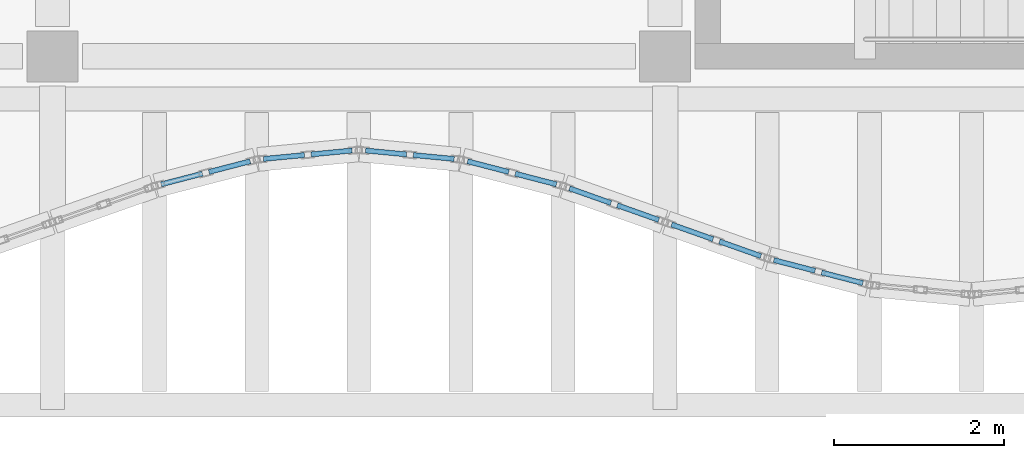
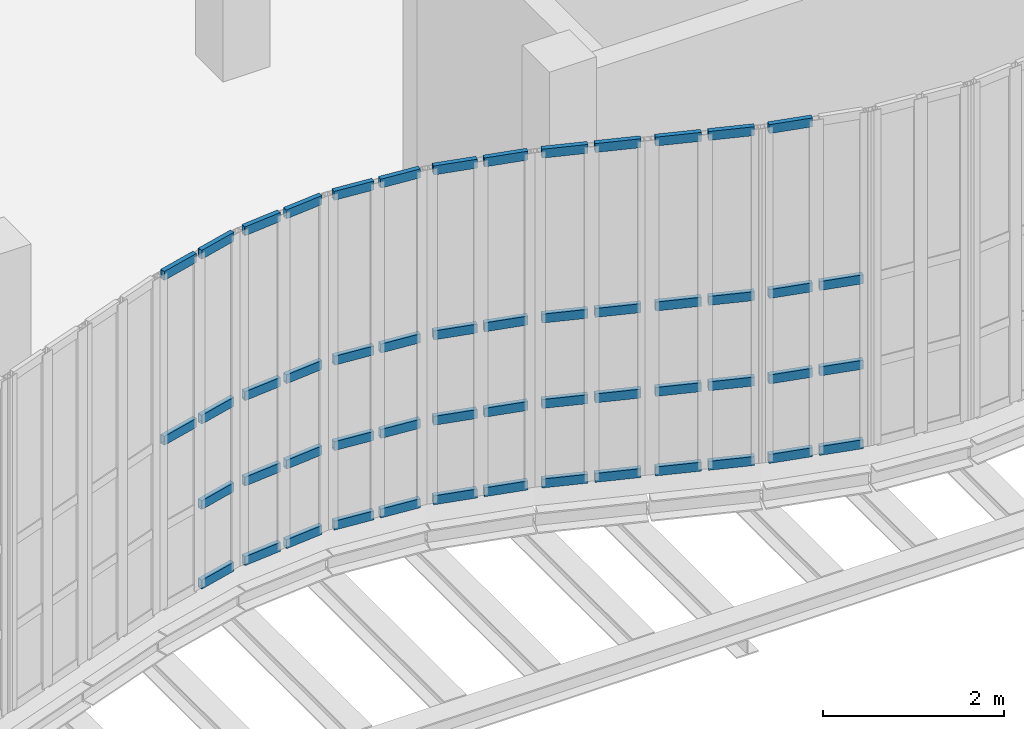
# One storey, part 48 of 105: 53 members, 7 elements without a shape of their own.
"""IFC4 building model written with IfcOpenShell, lengths in metres."""

import ifcopenshell
import ifcopenshell.guid

model = None  # the IFC model being written
_history = None  # IfcOwnerHistory: only IFC2X3 demands one
_inside = {}  # id of a spatial element -> (the spatial element, [elements in it])
_under = {}  # id of a project, library or spatial element -> (it, [spatial elements below it])
_declared = {}  # id of a project -> (the project, [libraries it declares])
_typed = {}  # id of a type object -> (the type object, [elements of that type])
_made_of = {}  # id of a material, layer set ... -> (it, [elements and type objects made of it])


def new_model(schema):
    """Start an empty IFC model of exactly this schema.

    Asked for "IFC4X3", IfcOpenShell would pick the latest addendum, in which some entities
    have other attributes; the version numbers below select the first issue.
    IFC2X3 requires an IfcOwnerHistory on every rooted entity: one is made here for all.
    """
    global model, _history
    if schema == "IFC4X3":
        model = ifcopenshell.file(schema_version=(4, 3, 0, 0))
    else:
        model = ifcopenshell.file(schema=schema)
    _inside.clear()
    _under.clear()
    _declared.clear()
    _typed.clear()
    _made_of.clear()
    _history = None
    if model.schema == "IFC2X3":
        org = make("IfcOrganization", Name="unknown")
        user = make(
            "IfcPersonAndOrganization",
            ThePerson=make("IfcPerson", FamilyName="unknown"),
            TheOrganization=org,
        )
        app = make(
            "IfcApplication",
            ApplicationDeveloper=org,
            Version="unknown",
            ApplicationFullName="unknown",
            ApplicationIdentifier="unknown",
        )
        _history = make(
            "IfcOwnerHistory",
            OwningUser=user,
            OwningApplication=app,
            ChangeAction="ADDED",
            CreationDate=0,
        )
    return model


def make(cls, **values):
    """One entity of the class cls with the attributes given. An attribute that is None is left unset."""
    return model.create_entity(
        cls, **{name: value for name, value in values.items() if value is not None}
    )


def rooted(cls, **values):
    """An entity with a GlobalId (a new one), such as an element, a storey or a relation."""
    return make(cls, GlobalId=ifcopenshell.guid.new(), OwnerHistory=_history, **values)


def si_unit(unit_type, name, prefix=None):
    """IfcSIUnit, for example si_unit("LENGTHUNIT", "METRE", prefix="MILLI")."""
    return make("IfcSIUnit", UnitType=unit_type, Prefix=prefix, Name=name)


def assignment(units):
    """IfcUnitAssignment: the units of a project."""
    return None if units is None else make("IfcUnitAssignment", Units=units)


def point(xyz):
    """IfcCartesianPoint."""
    return None if xyz is None else make("IfcCartesianPoint", Coordinates=xyz)


def direction(xyz):
    """IfcDirection."""
    return None if xyz is None else make("IfcDirection", DirectionRatios=xyz)


def frame(location, z_axis=None, x_axis=None):
    """IfcAxis2Placement3D, a coordinate frame: its origin and axes. An axis left out is left unset."""
    return make(
        "IfcAxis2Placement3D",
        Location=point(location),
        Axis=direction(z_axis),
        RefDirection=direction(x_axis),
    )


def frame_2d(location, x_axis=None):
    """IfcAxis2Placement2D, a coordinate frame in the plane: its origin and x axis."""
    return make(
        "IfcAxis2Placement2D", Location=point(location), RefDirection=direction(x_axis)
    )


def origin():
    """The frame at (0, 0, 0) with its axes left unset."""
    return frame((0.0, 0.0, 0.0))


def origin_2d():
    """The frame at (0, 0) in the plane with its x axis left unset."""
    return frame_2d((0.0, 0.0))


def place(relative_to, where):
    """IfcLocalPlacement: puts the frame where relative to a parent placement (None: the world)."""
    return make(
        "IfcLocalPlacement", PlacementRelTo=relative_to, RelativePlacement=where
    )


def context(
    kind, dimensions, precision=None, world=None, true_north=None, identifier=None
):
    """IfcGeometricRepresentationContext, for example the 3D "Model" context."""
    return make(
        "IfcGeometricRepresentationContext",
        ContextIdentifier=identifier,
        ContextType=kind,
        CoordinateSpaceDimension=dimensions,
        Precision=precision,
        WorldCoordinateSystem=world,
        TrueNorth=true_north,
    )


def subcontext(parent, identifier, kind, view, scale=None):
    """IfcGeometricRepresentationSubContext, for example "Body" below "Model"."""
    return make(
        "IfcGeometricRepresentationSubContext",
        ContextIdentifier=identifier,
        ContextType=kind,
        ParentContext=parent,
        TargetScale=scale,
        TargetView=view,
    )


def project(units=None, contexts=None):
    """IfcProject with its units and contexts."""
    return rooted(
        "IfcProject",
        Name="project",
        RepresentationContexts=contexts,
        UnitsInContext=assignment(units),
    )


def spatial(cls, under=None, at=None, **own):
    """A site, building, storey or space (cls), placed at a placement, below another one or the project."""
    s = rooted(cls, ObjectPlacement=at, **own)
    if under is not None:
        _under.setdefault(under.id(), (under, []))[1].append(s)
    return s


def profile(cls, at=None, kind="AREA", **sizes):
    """A parametric profile (cls). Its sizes go by their IFC names, for example OverallWidth=200.0."""
    return make(cls, ProfileType=kind, Position=at, **sizes)


def hollow_rectangle(**sizes):
    """IfcRectangleHollowProfileDef."""
    return profile("IfcRectangleHollowProfileDef", **sizes)


def extrude(swept, where, along, depth):
    """IfcExtrudedAreaSolid: the profile swept, set in the frame where, extruded along a direction by depth."""
    return make(
        "IfcExtrudedAreaSolid",
        SweptArea=swept,
        Position=where,
        ExtrudedDirection=direction(along),
        Depth=depth,
    )


def shape(context_of_items, identifier, shape_type, items):
    """IfcShapeRepresentation: the items that make up one representation, for example the "Body"."""
    return make(
        "IfcShapeRepresentation",
        ContextOfItems=context_of_items,
        RepresentationIdentifier=identifier,
        RepresentationType=shape_type,
        Items=items,
    )


def material(Name=None, Category=None):
    """IfcMaterial."""
    return make("IfcMaterial", Name=Name, Category=Category)


def layer(
    of_material, thickness, ventilated=None, Name=None, Category=None, Priority=None
):
    """IfcMaterialLayer: one layer of a wall or slab, of a material (None: an air gap)."""
    return make(
        "IfcMaterialLayer",
        Material=of_material,
        LayerThickness=thickness,
        IsVentilated=ventilated,
        Name=Name,
        Category=Category,
        Priority=Priority,
    )


def layer_set(layers, Name=None):
    """IfcMaterialLayerSet."""
    return make("IfcMaterialLayerSet", MaterialLayers=layers, LayerSetName=Name)


def material_profile(
    of_material, cross_section, Name=None, Category=None, Priority=None
):
    """IfcMaterialProfile: a cross section and its material."""
    return make(
        "IfcMaterialProfile",
        Name=Name,
        Material=of_material,
        Profile=cross_section,
        Priority=Priority,
        Category=Category,
    )


def profile_set(profiles, Name=None, composite=None):
    """IfcMaterialProfileSet."""
    return make(
        "IfcMaterialProfileSet",
        Name=Name,
        MaterialProfiles=profiles,
        CompositeProfile=composite,
    )


def made_of(thing, what):
    """Note that an element or type object is made of a material, layer set ...; save() writes the relation."""
    if what is not None:
        _made_of.setdefault(what.id(), (what, []))[1].append(thing)
    return thing


def type_object(cls, material=None, **own):
    """A type object (cls), such as IfcWallType, which elements share."""
    return made_of(rooted(cls, **own), material)


def element(
    cls,
    number,
    at=None,
    inside=None,
    cuts=None,
    type_object=None,
    material=None,
    context=None,
    identifier="Body",
    shape_type=None,
    held_by="IfcProductDefinitionShape",
    body=None,
    shapes=None,
    **own,
):
    """One element of the class cls, such as IfcWall. Its Tag is "e" and its number.

    at: its placement. inside: the storey or other place that contains it. cuts: it is an
    opening in that element (IfcRelVoidsElement). A single representation is given by context,
    identifier, shape_type and body (its items); several are given by shapes. held_by: the class
    of the entity that holds the representations. save() writes the other relations.
    """
    e = rooted(cls, Tag="e%d" % number, ObjectPlacement=at, **own)
    if body is not None:
        shapes = [shape(context, identifier, shape_type, body)]
    if shapes is not None:
        e.Representation = make(held_by, Representations=shapes)
    if inside is not None:
        _inside.setdefault(inside.id(), (inside, []))[1].append(e)
    if cuts is not None:
        rooted(
            "IfcRelVoidsElement", RelatingBuildingElement=cuts, RelatedOpeningElement=e
        )
    if type_object is not None:
        _typed.setdefault(type_object.id(), (type_object, []))[1].append(e)
    return made_of(e, material)


def aggregate(whole, parts):
    """IfcRelAggregates: a whole, such as a stair, and the parts it consists of."""
    return rooted("IfcRelAggregates", RelatingObject=whole, RelatedObjects=parts)


def save(model, path):
    """Write the relations noted so far, then the file.

    IfcRelAggregates (storeys below a building ...), IfcRelContainedInSpatialStructure (elements
    in a storey), IfcRelDefinesByType, IfcRelAssociatesMaterial and IfcRelDeclares: one each for
    every whole, place, type object, material and project.
    """
    for whole, parts in _under.values():
        aggregate(whole, parts)
    for where, things in _inside.values():
        rooted(
            "IfcRelContainedInSpatialStructure",
            RelatedElements=things,
            RelatingStructure=where,
        )
    for kind, things in _typed.values():
        rooted("IfcRelDefinesByType", RelatedObjects=things, RelatingType=kind)
    for what, things in _made_of.values():
        rooted("IfcRelAssociatesMaterial", RelatedObjects=things, RelatingMaterial=what)
    for by, libraries in _declared.values():
        rooted("IfcRelDeclares", RelatingContext=by, RelatedDefinitions=libraries)
    model.write(path)


model = new_model("IFC4")

# Units and contexts
model_context = context("Model", 3, precision=1e-05, world=origin(), true_north=direction((0.0, 1.0)))
body_context = subcontext(model_context, "Body", "Model", "MODEL_VIEW")
ifc_project = project(units=[si_unit("LENGTHUNIT", "METRE"), si_unit("AREAUNIT", "SQUARE_METRE"), si_unit("VOLUMEUNIT", "CUBIC_METRE"), si_unit("PLANEANGLEUNIT", "RADIAN"), si_unit("MASSUNIT", "GRAM", prefix="KILO"), si_unit("THERMODYNAMICTEMPERATUREUNIT", "KELVIN"), si_unit("POWERUNIT", "WATT")], contexts=[model_context])

# Site, building, storey
site_placement = place(None, origin())
site = spatial("IfcSite", under=ifc_project, at=site_placement, CompositionType="ELEMENT")
building_placement = place(site_placement, origin())
building = spatial("IfcBuilding", under=site, at=building_placement, Name="Kaldorven Railside Theatre", CompositionType="ELEMENT")
storey_placement = place(building_placement, frame((0.0, 0.0, 9.89990234375)))
storey = spatial("IfcBuildingStorey", under=building, at=storey_placement, Name="L02", CompositionType="ELEMENT", Elevation=9.89990234375)

# Curtain wall, members
ifc_material_1 = material(Name="Low-E laminated solar-control glass", Category="glass")
ifc_layer_1 = layer(ifc_material_1, 0.159912109375, Name="Low-E laminated solar-control glass")
ifc_layer_set_1 = layer_set([ifc_layer_1], Name="Low-E laminated solar-control glass")
curtain_wall_type_1 = type_object("IfcCurtainWallType", Name="CWT-02", PredefinedType="USERDEFINED", material=ifc_layer_set_1)
curtain_wall_1_placement = place(storey_placement, origin())
curtain_wall_1 = element("IfcCurtainWall", 1, at=curtain_wall_1_placement, inside=storey, type_object=curtain_wall_type_1, Name="Sinusoidal Fluted Curtain Wall CW-L02-S14", ObjectType="FLUTED GLAZING", PredefinedType="USERDEFINED")
ifc_material_2 = material(Name="Anodised bronze aluminium", Category="aluminium")
ifc_material_profile = material_profile(ifc_material_2, hollow_rectangle(XDim=0.06005859375, YDim=0.1201171875, WallThickness=0.0048828125, at=origin_2d()), Name="RHS 120x60x5")
ifc_profile_set = profile_set([ifc_material_profile], Name="Anodised bronze aluminium")
member_type = type_object("IfcMemberType", Name="CWT-120", PredefinedType="USERDEFINED", material=ifc_profile_set)
member_1_placement = place(storey_placement, frame((52.4775390625, 17.695068359375, 2.25), z_axis=(0.967948521016, 0.251148682384, 0.0), x_axis=(-0.251148682384, 0.967948521016, 0.0)))
member_1 = element("IfcMember", 2, at=member_1_placement, type_object=member_type, Name="CW-L02-S14 transom 1.3", ObjectType="TRANSOM", PredefinedType="USERDEFINED", context=body_context, shape_type="SweptSolid", body=[
    extrude(hollow_rectangle(XDim=0.06005859375, YDim=0.1201171875, WallThickness=0.0048828125, at=origin_2d()), origin(), (0.0, 0.0, 1.0), 0.499755859375),
])
member_2_placement = place(storey_placement, frame((52.4775390625, 17.695068359375, 4.47021484375), z_axis=(0.967948521016, 0.251148682384, 0.0), x_axis=(-0.251148682384, 0.967948521016, 0.0)))
member_2 = element("IfcMember", 3, at=member_2_placement, type_object=member_type, Name="CW-L02-S14 transom 1.4", ObjectType="TRANSOM", PredefinedType="USERDEFINED", context=body_context, shape_type="SweptSolid", body=[
    extrude(hollow_rectangle(XDim=0.06005859375, YDim=0.1201171875, WallThickness=0.0048828125, at=origin_2d()), origin(), (0.0, 0.0, 1.0), 0.499755859375),
])
member_3_placement = place(storey_placement, frame((53.038818359375, 17.840576171875, 0.030029296875), z_axis=(0.967948521016, 0.251148682384, 0.0), x_axis=(-0.251148682384, 0.967948521016, 0.0)))
member_3 = element("IfcMember", 4, at=member_3_placement, type_object=member_type, Name="CW-L02-S14 transom 2.1", ObjectType="TRANSOM", PredefinedType="USERDEFINED", context=body_context, shape_type="SweptSolid", body=[
    extrude(hollow_rectangle(XDim=0.06005859375, YDim=0.1201171875, WallThickness=0.0048828125, at=origin_2d()), origin(), (0.0, 0.0, 1.0), 0.499755859375),
])
member_4_placement = place(storey_placement, frame((53.038818359375, 17.840576171875, 1.10009765625), z_axis=(0.967948521016, 0.251148682384, 0.0), x_axis=(-0.251148682384, 0.967948521016, 0.0)))
member_4 = element("IfcMember", 5, at=member_4_placement, type_object=member_type, Name="CW-L02-S14 transom 2.2", ObjectType="TRANSOM", PredefinedType="USERDEFINED", context=body_context, shape_type="SweptSolid", body=[
    extrude(hollow_rectangle(XDim=0.06005859375, YDim=0.1201171875, WallThickness=0.0048828125, at=origin_2d()), origin(), (0.0, 0.0, 1.0), 0.499755859375),
])
member_5_placement = place(storey_placement, frame((53.038818359375, 17.840576171875, 2.25), z_axis=(0.967948521016, 0.251148682384, 0.0), x_axis=(-0.251148682384, 0.967948521016, 0.0)))
member_5 = element("IfcMember", 6, at=member_5_placement, type_object=member_type, Name="CW-L02-S14 transom 2.3", ObjectType="TRANSOM", PredefinedType="USERDEFINED", context=body_context, shape_type="SweptSolid", body=[
    extrude(hollow_rectangle(XDim=0.06005859375, YDim=0.1201171875, WallThickness=0.0048828125, at=origin_2d()), origin(), (0.0, 0.0, 1.0), 0.499755859375),
])
member_6_placement = place(storey_placement, frame((53.038818359375, 17.840576171875, 4.47021484375), z_axis=(0.967948521016, 0.251148682384, 0.0), x_axis=(-0.251148682384, 0.967948521016, 0.0)))
member_6 = element("IfcMember", 7, at=member_6_placement, type_object=member_type, Name="CW-L02-S14 transom 2.4", ObjectType="TRANSOM", PredefinedType="USERDEFINED", context=body_context, shape_type="SweptSolid", body=[
    extrude(hollow_rectangle(XDim=0.06005859375, YDim=0.1201171875, WallThickness=0.0048828125, at=origin_2d()), origin(), (0.0, 0.0, 1.0), 0.499755859375),
])
aggregate(curtain_wall_1, [member_1, member_2, member_3, member_4, member_5, member_6])

ifc_layer_2 = layer(ifc_material_1, 0.159912109375, Name="Low-E laminated solar-control glass")
ifc_layer_set_2 = layer_set([ifc_layer_2], Name="Low-E laminated solar-control glass")
curtain_wall_type_2 = type_object("IfcCurtainWallType", Name="CWT-03", PredefinedType="USERDEFINED", material=ifc_layer_set_2)
curtain_wall_2_placement = place(storey_placement, origin())
curtain_wall_2 = element("IfcCurtainWall", 8, at=curtain_wall_2_placement, inside=storey, type_object=curtain_wall_type_2, Name="Sinusoidal Fluted Curtain Wall CW-L02-S15", ObjectType="FLUTED GLAZING", PredefinedType="USERDEFINED")
member_7_placement = place(storey_placement, frame((53.6796875, 17.99365234375, 0.030029296875), z_axis=(0.995515910823, 0.094594245591, 0.0), x_axis=(-0.094594245591, 0.995515910823, 0.0)))
member_7 = element("IfcMember", 9, at=member_7_placement, type_object=member_type, Name="CW-L02-S15 transom 1.1", ObjectType="TRANSOM", PredefinedType="USERDEFINED", context=body_context, shape_type="SweptSolid", body=[
    extrude(hollow_rectangle(XDim=0.06005859375, YDim=0.1201171875, WallThickness=0.0048828125, at=origin_2d()), origin(), (0.0, 0.0, 1.0), 0.482666015625),
])
member_8_placement = place(storey_placement, frame((53.6796875, 17.99365234375, 1.10009765625), z_axis=(0.995515910823, 0.094594245591, 0.0), x_axis=(-0.094594245591, 0.995515910823, 0.0)))
member_8 = element("IfcMember", 10, at=member_8_placement, type_object=member_type, Name="CW-L02-S15 transom 1.2", ObjectType="TRANSOM", PredefinedType="USERDEFINED", context=body_context, shape_type="SweptSolid", body=[
    extrude(hollow_rectangle(XDim=0.06005859375, YDim=0.1201171875, WallThickness=0.0048828125, at=origin_2d()), origin(), (0.0, 0.0, 1.0), 0.482666015625),
])
member_9_placement = place(storey_placement, frame((53.6796875, 17.99365234375, 2.25), z_axis=(0.995515910823, 0.094594245591, 0.0), x_axis=(-0.094594245591, 0.995515910823, 0.0)))
member_9 = element("IfcMember", 11, at=member_9_placement, type_object=member_type, Name="CW-L02-S15 transom 1.3", ObjectType="TRANSOM", PredefinedType="USERDEFINED", context=body_context, shape_type="SweptSolid", body=[
    extrude(hollow_rectangle(XDim=0.06005859375, YDim=0.1201171875, WallThickness=0.0048828125, at=origin_2d()), origin(), (0.0, 0.0, 1.0), 0.482666015625),
])
member_10_placement = place(storey_placement, frame((53.6796875, 17.99365234375, 4.47021484375), z_axis=(0.995515910823, 0.094594245591, 0.0), x_axis=(-0.094594245591, 0.995515910823, 0.0)))
member_10 = element("IfcMember", 12, at=member_10_placement, type_object=member_type, Name="CW-L02-S15 transom 1.4", ObjectType="TRANSOM", PredefinedType="USERDEFINED", context=body_context, shape_type="SweptSolid", body=[
    extrude(hollow_rectangle(XDim=0.06005859375, YDim=0.1201171875, WallThickness=0.0048828125, at=origin_2d()), origin(), (0.0, 0.0, 1.0), 0.482666015625),
])
member_11_placement = place(storey_placement, frame((54.23974609375, 18.046875, 0.030029296875), z_axis=(0.995520433802, 0.094546633378, 0.0), x_axis=(-0.094546633378, 0.995520433802, 0.0)))
member_11 = element("IfcMember", 13, at=member_11_placement, type_object=member_type, Name="CW-L02-S15 transom 2.1", ObjectType="TRANSOM", PredefinedType="USERDEFINED", context=body_context, shape_type="SweptSolid", body=[
    extrude(hollow_rectangle(XDim=0.06005859375, YDim=0.1201171875, WallThickness=0.0048828125, at=origin_2d()), origin(), (0.0, 0.0, 1.0), 0.48291015625),
])
member_12_placement = place(storey_placement, frame((54.23974609375, 18.046875, 1.10009765625), z_axis=(0.995520433802, 0.094546633378, 0.0), x_axis=(-0.094546633378, 0.995520433802, 0.0)))
member_12 = element("IfcMember", 14, at=member_12_placement, type_object=member_type, Name="CW-L02-S15 transom 2.2", ObjectType="TRANSOM", PredefinedType="USERDEFINED", context=body_context, shape_type="SweptSolid", body=[
    extrude(hollow_rectangle(XDim=0.06005859375, YDim=0.1201171875, WallThickness=0.0048828125, at=origin_2d()), origin(), (0.0, 0.0, 1.0), 0.48291015625),
])
member_13_placement = place(storey_placement, frame((54.23974609375, 18.046875, 2.25), z_axis=(0.995520433802, 0.094546633378, 0.0), x_axis=(-0.094546633378, 0.995520433802, 0.0)))
member_13 = element("IfcMember", 15, at=member_13_placement, type_object=member_type, Name="CW-L02-S15 transom 2.3", ObjectType="TRANSOM", PredefinedType="USERDEFINED", context=body_context, shape_type="SweptSolid", body=[
    extrude(hollow_rectangle(XDim=0.06005859375, YDim=0.1201171875, WallThickness=0.0048828125, at=origin_2d()), origin(), (0.0, 0.0, 1.0), 0.48291015625),
])
member_14_placement = place(storey_placement, frame((54.23974609375, 18.046875, 4.47021484375), z_axis=(0.995520433802, 0.094546633378, 0.0), x_axis=(-0.094546633378, 0.995520433802, 0.0)))
member_14 = element("IfcMember", 16, at=member_14_placement, type_object=member_type, Name="CW-L02-S15 transom 2.4", ObjectType="TRANSOM", PredefinedType="USERDEFINED", context=body_context, shape_type="SweptSolid", body=[
    extrude(hollow_rectangle(XDim=0.06005859375, YDim=0.1201171875, WallThickness=0.0048828125, at=origin_2d()), origin(), (0.0, 0.0, 1.0), 0.48291015625),
])
aggregate(curtain_wall_2, [member_7, member_8, member_9, member_10, member_11, member_12, member_13, member_14])

curtain_wall_3_placement = place(storey_placement, origin())
curtain_wall_3 = element("IfcCurtainWall", 17, at=curtain_wall_3_placement, inside=storey, type_object=curtain_wall_type_2, Name="Sinusoidal Fluted Curtain Wall CW-L02-S16", ObjectType="FLUTED GLAZING", PredefinedType="USERDEFINED")
member_15_placement = place(storey_placement, frame((54.879638671875, 18.092529296875, 0.030029296875), z_axis=(0.995515910823, -0.094594245591, 0.0), x_axis=(0.094594245591, 0.995515910823, 0.0)))
member_15 = element("IfcMember", 18, at=member_15_placement, type_object=member_type, Name="CW-L02-S16 transom 1.1", ObjectType="TRANSOM", PredefinedType="USERDEFINED", context=body_context, shape_type="SweptSolid", body=[
    extrude(hollow_rectangle(XDim=0.06005859375, YDim=0.1201171875, WallThickness=0.0048828125, at=origin_2d()), origin(), (0.0, 0.0, 1.0), 0.482666015625),
])
member_16_placement = place(storey_placement, frame((54.879638671875, 18.092529296875, 1.10009765625), z_axis=(0.995515910823, -0.094594245591, 0.0), x_axis=(0.094594245591, 0.995515910823, 0.0)))
member_16 = element("IfcMember", 19, at=member_16_placement, type_object=member_type, Name="CW-L02-S16 transom 1.2", ObjectType="TRANSOM", PredefinedType="USERDEFINED", context=body_context, shape_type="SweptSolid", body=[
    extrude(hollow_rectangle(XDim=0.06005859375, YDim=0.1201171875, WallThickness=0.0048828125, at=origin_2d()), origin(), (0.0, 0.0, 1.0), 0.482666015625),
])
member_17_placement = place(storey_placement, frame((54.879638671875, 18.092529296875, 2.25), z_axis=(0.995515910823, -0.094594245591, 0.0), x_axis=(0.094594245591, 0.995515910823, 0.0)))
member_17 = element("IfcMember", 20, at=member_17_placement, type_object=member_type, Name="CW-L02-S16 transom 1.3", ObjectType="TRANSOM", PredefinedType="USERDEFINED", context=body_context, shape_type="SweptSolid", body=[
    extrude(hollow_rectangle(XDim=0.06005859375, YDim=0.1201171875, WallThickness=0.0048828125, at=origin_2d()), origin(), (0.0, 0.0, 1.0), 0.482666015625),
])
member_18_placement = place(storey_placement, frame((54.879638671875, 18.092529296875, 4.47021484375), z_axis=(0.995515910823, -0.094594245591, 0.0), x_axis=(0.094594245591, 0.995515910823, 0.0)))
member_18 = element("IfcMember", 21, at=member_18_placement, type_object=member_type, Name="CW-L02-S16 transom 1.4", ObjectType="TRANSOM", PredefinedType="USERDEFINED", context=body_context, shape_type="SweptSolid", body=[
    extrude(hollow_rectangle(XDim=0.06005859375, YDim=0.1201171875, WallThickness=0.0048828125, at=origin_2d()), origin(), (0.0, 0.0, 1.0), 0.482666015625),
])
member_19_placement = place(storey_placement, frame((55.43994140625, 18.039306640625, 0.030029296875), z_axis=(0.995515910823, -0.094594245591, 0.0), x_axis=(0.094594245591, 0.995515910823, 0.0)))
member_19 = element("IfcMember", 22, at=member_19_placement, type_object=member_type, Name="CW-L02-S16 transom 2.1", ObjectType="TRANSOM", PredefinedType="USERDEFINED", context=body_context, shape_type="SweptSolid", body=[
    extrude(hollow_rectangle(XDim=0.06005859375, YDim=0.1201171875, WallThickness=0.0048828125, at=origin_2d()), origin(), (0.0, 0.0, 1.0), 0.482666015625),
])
member_20_placement = place(storey_placement, frame((55.43994140625, 18.039306640625, 1.10009765625), z_axis=(0.995515910823, -0.094594245591, 0.0), x_axis=(0.094594245591, 0.995515910823, 0.0)))
member_20 = element("IfcMember", 23, at=member_20_placement, type_object=member_type, Name="CW-L02-S16 transom 2.2", ObjectType="TRANSOM", PredefinedType="USERDEFINED", context=body_context, shape_type="SweptSolid", body=[
    extrude(hollow_rectangle(XDim=0.06005859375, YDim=0.1201171875, WallThickness=0.0048828125, at=origin_2d()), origin(), (0.0, 0.0, 1.0), 0.482666015625),
])
member_21_placement = place(storey_placement, frame((55.43994140625, 18.039306640625, 2.25), z_axis=(0.995515910823, -0.094594245591, 0.0), x_axis=(0.094594245591, 0.995515910823, 0.0)))
member_21 = element("IfcMember", 24, at=member_21_placement, type_object=member_type, Name="CW-L02-S16 transom 2.3", ObjectType="TRANSOM", PredefinedType="USERDEFINED", context=body_context, shape_type="SweptSolid", body=[
    extrude(hollow_rectangle(XDim=0.06005859375, YDim=0.1201171875, WallThickness=0.0048828125, at=origin_2d()), origin(), (0.0, 0.0, 1.0), 0.482666015625),
])
member_22_placement = place(storey_placement, frame((55.43994140625, 18.039306640625, 4.47021484375), z_axis=(0.995515910823, -0.094594245591, 0.0), x_axis=(0.094594245591, 0.995515910823, 0.0)))
member_22 = element("IfcMember", 25, at=member_22_placement, type_object=member_type, Name="CW-L02-S16 transom 2.4", ObjectType="TRANSOM", PredefinedType="USERDEFINED", context=body_context, shape_type="SweptSolid", body=[
    extrude(hollow_rectangle(XDim=0.06005859375, YDim=0.1201171875, WallThickness=0.0048828125, at=origin_2d()), origin(), (0.0, 0.0, 1.0), 0.482666015625),
])
aggregate(curtain_wall_3, [member_15, member_16, member_17, member_18, member_19, member_20, member_21, member_22])

curtain_wall_4_placement = place(storey_placement, origin())
curtain_wall_4 = element("IfcCurtainWall", 26, at=curtain_wall_4_placement, inside=storey, type_object=curtain_wall_type_1, Name="Sinusoidal Fluted Curtain Wall CW-L02-S17", ObjectType="FLUTED GLAZING", PredefinedType="USERDEFINED")
member_23_placement = place(storey_placement, frame((56.077392578125, 17.966064453125, 0.030029296875), z_axis=(0.967979318949, -0.251029954561, 0.0), x_axis=(0.251029954561, 0.967979318949, 0.0)))
member_23 = element("IfcMember", 27, at=member_23_placement, type_object=member_type, Name="CW-L02-S17 transom 1.1", ObjectType="TRANSOM", PredefinedType="USERDEFINED", context=body_context, shape_type="SweptSolid", body=[
    extrude(hollow_rectangle(XDim=0.06005859375, YDim=0.1201171875, WallThickness=0.0048828125, at=origin_2d()), origin(), (0.0, 0.0, 1.0), 0.5),
])
member_24_placement = place(storey_placement, frame((56.077392578125, 17.966064453125, 1.10009765625), z_axis=(0.967979318949, -0.251029954561, 0.0), x_axis=(0.251029954561, 0.967979318949, 0.0)))
member_24 = element("IfcMember", 28, at=member_24_placement, type_object=member_type, Name="CW-L02-S17 transom 1.2", ObjectType="TRANSOM", PredefinedType="USERDEFINED", context=body_context, shape_type="SweptSolid", body=[
    extrude(hollow_rectangle(XDim=0.06005859375, YDim=0.1201171875, WallThickness=0.0048828125, at=origin_2d()), origin(), (0.0, 0.0, 1.0), 0.5),
])
member_25_placement = place(storey_placement, frame((56.077392578125, 17.966064453125, 2.25), z_axis=(0.967979318949, -0.251029954561, 0.0), x_axis=(0.251029954561, 0.967979318949, 0.0)))
member_25 = element("IfcMember", 29, at=member_25_placement, type_object=member_type, Name="CW-L02-S17 transom 1.3", ObjectType="TRANSOM", PredefinedType="USERDEFINED", context=body_context, shape_type="SweptSolid", body=[
    extrude(hollow_rectangle(XDim=0.06005859375, YDim=0.1201171875, WallThickness=0.0048828125, at=origin_2d()), origin(), (0.0, 0.0, 1.0), 0.5),
])
member_26_placement = place(storey_placement, frame((56.077392578125, 17.966064453125, 4.47021484375), z_axis=(0.967979318949, -0.251029954561, 0.0), x_axis=(0.251029954561, 0.967979318949, 0.0)))
member_26 = element("IfcMember", 30, at=member_26_placement, type_object=member_type, Name="CW-L02-S17 transom 1.4", ObjectType="TRANSOM", PredefinedType="USERDEFINED", context=body_context, shape_type="SweptSolid", body=[
    extrude(hollow_rectangle(XDim=0.06005859375, YDim=0.1201171875, WallThickness=0.0048828125, at=origin_2d()), origin(), (0.0, 0.0, 1.0), 0.5),
])
member_27_placement = place(storey_placement, frame((56.638671875, 17.820556640625, 0.030029296875), z_axis=(0.967979318949, -0.251029954561, 0.0), x_axis=(0.251029954561, 0.967979318949, 0.0)))
member_27 = element("IfcMember", 31, at=member_27_placement, type_object=member_type, Name="CW-L02-S17 transom 2.1", ObjectType="TRANSOM", PredefinedType="USERDEFINED", context=body_context, shape_type="SweptSolid", body=[
    extrude(hollow_rectangle(XDim=0.06005859375, YDim=0.1201171875, WallThickness=0.0048828125, at=origin_2d()), origin(), (0.0, 0.0, 1.0), 0.5),
])
member_28_placement = place(storey_placement, frame((56.638671875, 17.820556640625, 1.10009765625), z_axis=(0.967979318949, -0.251029954561, 0.0), x_axis=(0.251029954561, 0.967979318949, 0.0)))
member_28 = element("IfcMember", 32, at=member_28_placement, type_object=member_type, Name="CW-L02-S17 transom 2.2", ObjectType="TRANSOM", PredefinedType="USERDEFINED", context=body_context, shape_type="SweptSolid", body=[
    extrude(hollow_rectangle(XDim=0.06005859375, YDim=0.1201171875, WallThickness=0.0048828125, at=origin_2d()), origin(), (0.0, 0.0, 1.0), 0.5),
])
member_29_placement = place(storey_placement, frame((56.638671875, 17.820556640625, 2.25), z_axis=(0.967979318949, -0.251029954561, 0.0), x_axis=(0.251029954561, 0.967979318949, 0.0)))
member_29 = element("IfcMember", 33, at=member_29_placement, type_object=member_type, Name="CW-L02-S17 transom 2.3", ObjectType="TRANSOM", PredefinedType="USERDEFINED", context=body_context, shape_type="SweptSolid", body=[
    extrude(hollow_rectangle(XDim=0.06005859375, YDim=0.1201171875, WallThickness=0.0048828125, at=origin_2d()), origin(), (0.0, 0.0, 1.0), 0.5),
])
member_30_placement = place(storey_placement, frame((56.638671875, 17.820556640625, 4.47021484375), z_axis=(0.967979318949, -0.251029954561, 0.0), x_axis=(0.251029954561, 0.967979318949, 0.0)))
member_30 = element("IfcMember", 34, at=member_30_placement, type_object=member_type, Name="CW-L02-S17 transom 2.4", ObjectType="TRANSOM", PredefinedType="USERDEFINED", context=body_context, shape_type="SweptSolid", body=[
    extrude(hollow_rectangle(XDim=0.06005859375, YDim=0.1201171875, WallThickness=0.0048828125, at=origin_2d()), origin(), (0.0, 0.0, 1.0), 0.5),
])
aggregate(curtain_wall_4, [member_23, member_24, member_25, member_26, member_27, member_28, member_29, member_30])

ifc_layer_3 = layer(ifc_material_1, 0.159912109375, Name="Low-E laminated solar-control glass")
ifc_layer_set_3 = layer_set([ifc_layer_3], Name="Low-E laminated solar-control glass")
curtain_wall_type_3 = type_object("IfcCurtainWallType", Name="CWT-01", PredefinedType="USERDEFINED", material=ifc_layer_set_3)
curtain_wall_5_placement = place(storey_placement, origin())
curtain_wall_5 = element("IfcCurtainWall", 35, at=curtain_wall_5_placement, inside=storey, type_object=curtain_wall_type_3, Name="Sinusoidal Fluted Curtain Wall CW-L02-S18", ObjectType="FLUTED GLAZING", PredefinedType="USERDEFINED")
member_31_placement = place(storey_placement, frame((57.275390625, 17.648193359375, 0.030029296875), z_axis=(0.942658214948, -0.333759628763, 0.0), x_axis=(0.333759628763, 0.942658214948, 0.0)))
member_31 = element("IfcMember", 36, at=member_31_placement, type_object=member_type, Name="CW-L02-S18 transom 1.1", ObjectType="TRANSOM", PredefinedType="USERDEFINED", context=body_context, shape_type="SweptSolid", body=[
    extrude(hollow_rectangle(XDim=0.06005859375, YDim=0.1201171875, WallThickness=0.0048828125, at=origin_2d()), origin(), (0.0, 0.0, 1.0), 0.516357421875),
])
member_32_placement = place(storey_placement, frame((57.275390625, 17.648193359375, 1.10009765625), z_axis=(0.942658214948, -0.333759628763, 0.0), x_axis=(0.333759628763, 0.942658214948, 0.0)))
member_32 = element("IfcMember", 37, at=member_32_placement, type_object=member_type, Name="CW-L02-S18 transom 1.2", ObjectType="TRANSOM", PredefinedType="USERDEFINED", context=body_context, shape_type="SweptSolid", body=[
    extrude(hollow_rectangle(XDim=0.06005859375, YDim=0.1201171875, WallThickness=0.0048828125, at=origin_2d()), origin(), (0.0, 0.0, 1.0), 0.516357421875),
])
member_33_placement = place(storey_placement, frame((57.275390625, 17.648193359375, 2.25), z_axis=(0.942658214948, -0.333759628763, 0.0), x_axis=(0.333759628763, 0.942658214948, 0.0)))
member_33 = element("IfcMember", 38, at=member_33_placement, type_object=member_type, Name="CW-L02-S18 transom 1.3", ObjectType="TRANSOM", PredefinedType="USERDEFINED", context=body_context, shape_type="SweptSolid", body=[
    extrude(hollow_rectangle(XDim=0.06005859375, YDim=0.1201171875, WallThickness=0.0048828125, at=origin_2d()), origin(), (0.0, 0.0, 1.0), 0.516357421875),
])
member_34_placement = place(storey_placement, frame((57.275390625, 17.648193359375, 4.47021484375), z_axis=(0.942658214948, -0.333759628763, 0.0), x_axis=(0.333759628763, 0.942658214948, 0.0)))
member_34 = element("IfcMember", 39, at=member_34_placement, type_object=member_type, Name="CW-L02-S18 transom 1.4", ObjectType="TRANSOM", PredefinedType="USERDEFINED", context=body_context, shape_type="SweptSolid", body=[
    extrude(hollow_rectangle(XDim=0.06005859375, YDim=0.1201171875, WallThickness=0.0048828125, at=origin_2d()), origin(), (0.0, 0.0, 1.0), 0.516357421875),
])
member_35_placement = place(storey_placement, frame((57.837646484375, 17.44921875, 0.030029296875), z_axis=(0.94256215944, -0.334030800363, 0.0), x_axis=(0.334030800363, 0.94256215944, 0.0)))
member_35 = element("IfcMember", 40, at=member_35_placement, type_object=member_type, Name="CW-L02-S18 transom 2.1", ObjectType="TRANSOM", PredefinedType="USERDEFINED", context=body_context, shape_type="SweptSolid", body=[
    extrude(hollow_rectangle(XDim=0.06005859375, YDim=0.1201171875, WallThickness=0.0048828125, at=origin_2d()), origin(), (0.0, 0.0, 1.0), 0.516845703125),
])
member_36_placement = place(storey_placement, frame((57.837646484375, 17.44921875, 1.10009765625), z_axis=(0.94256215944, -0.334030800363, 0.0), x_axis=(0.334030800363, 0.94256215944, 0.0)))
member_36 = element("IfcMember", 41, at=member_36_placement, type_object=member_type, Name="CW-L02-S18 transom 2.2", ObjectType="TRANSOM", PredefinedType="USERDEFINED", context=body_context, shape_type="SweptSolid", body=[
    extrude(hollow_rectangle(XDim=0.06005859375, YDim=0.1201171875, WallThickness=0.0048828125, at=origin_2d()), origin(), (0.0, 0.0, 1.0), 0.516845703125),
])
member_37_placement = place(storey_placement, frame((57.837646484375, 17.44921875, 2.25), z_axis=(0.94256215944, -0.334030800363, 0.0), x_axis=(0.334030800363, 0.94256215944, 0.0)))
member_37 = element("IfcMember", 42, at=member_37_placement, type_object=member_type, Name="CW-L02-S18 transom 2.3", ObjectType="TRANSOM", PredefinedType="USERDEFINED", context=body_context, shape_type="SweptSolid", body=[
    extrude(hollow_rectangle(XDim=0.06005859375, YDim=0.1201171875, WallThickness=0.0048828125, at=origin_2d()), origin(), (0.0, 0.0, 1.0), 0.516845703125),
])
member_38_placement = place(storey_placement, frame((57.837646484375, 17.44921875, 4.47021484375), z_axis=(0.94256215944, -0.334030800363, 0.0), x_axis=(0.334030800363, 0.94256215944, 0.0)))
member_38 = element("IfcMember", 43, at=member_38_placement, type_object=member_type, Name="CW-L02-S18 transom 2.4", ObjectType="TRANSOM", PredefinedType="USERDEFINED", context=body_context, shape_type="SweptSolid", body=[
    extrude(hollow_rectangle(XDim=0.06005859375, YDim=0.1201171875, WallThickness=0.0048828125, at=origin_2d()), origin(), (0.0, 0.0, 1.0), 0.516845703125),
])
aggregate(curtain_wall_5, [member_31, member_32, member_33, member_34, member_35, member_36, member_37, member_38])

curtain_wall_6_placement = place(storey_placement, origin())
curtain_wall_6 = element("IfcCurtainWall", 44, at=curtain_wall_6_placement, inside=storey, type_object=curtain_wall_type_3, Name="Sinusoidal Fluted Curtain Wall CW-L02-S19", ObjectType="FLUTED GLAZING", PredefinedType="USERDEFINED")
member_39_placement = place(storey_placement, frame((58.475341796875, 17.223388671875, 0.030029296875), z_axis=(0.94256215944, -0.334030800363, 0.0), x_axis=(0.334030800363, 0.94256215944, 0.0)))
member_39 = element("IfcMember", 45, at=member_39_placement, type_object=member_type, Name="CW-L02-S19 transom 1.1", ObjectType="TRANSOM", PredefinedType="USERDEFINED", context=body_context, shape_type="SweptSolid", body=[
    extrude(hollow_rectangle(XDim=0.06005859375, YDim=0.1201171875, WallThickness=0.0048828125, at=origin_2d()), origin(), (0.0, 0.0, 1.0), 0.516845703125),
])
member_40_placement = place(storey_placement, frame((58.475341796875, 17.223388671875, 1.10009765625), z_axis=(0.94256215944, -0.334030800363, 0.0), x_axis=(0.334030800363, 0.94256215944, 0.0)))
member_40 = element("IfcMember", 46, at=member_40_placement, type_object=member_type, Name="CW-L02-S19 transom 1.2", ObjectType="TRANSOM", PredefinedType="USERDEFINED", context=body_context, shape_type="SweptSolid", body=[
    extrude(hollow_rectangle(XDim=0.06005859375, YDim=0.1201171875, WallThickness=0.0048828125, at=origin_2d()), origin(), (0.0, 0.0, 1.0), 0.516845703125),
])
member_41_placement = place(storey_placement, frame((58.475341796875, 17.223388671875, 2.25), z_axis=(0.94256215944, -0.334030800363, 0.0), x_axis=(0.334030800363, 0.94256215944, 0.0)))
member_41 = element("IfcMember", 47, at=member_41_placement, type_object=member_type, Name="CW-L02-S19 transom 1.3", ObjectType="TRANSOM", PredefinedType="USERDEFINED", context=body_context, shape_type="SweptSolid", body=[
    extrude(hollow_rectangle(XDim=0.06005859375, YDim=0.1201171875, WallThickness=0.0048828125, at=origin_2d()), origin(), (0.0, 0.0, 1.0), 0.516845703125),
])
member_42_placement = place(storey_placement, frame((58.475341796875, 17.223388671875, 4.47021484375), z_axis=(0.94256215944, -0.334030800363, 0.0), x_axis=(0.334030800363, 0.94256215944, 0.0)))
member_42 = element("IfcMember", 48, at=member_42_placement, type_object=member_type, Name="CW-L02-S19 transom 1.4", ObjectType="TRANSOM", PredefinedType="USERDEFINED", context=body_context, shape_type="SweptSolid", body=[
    extrude(hollow_rectangle(XDim=0.06005859375, YDim=0.1201171875, WallThickness=0.0048828125, at=origin_2d()), origin(), (0.0, 0.0, 1.0), 0.516845703125),
])
member_43_placement = place(storey_placement, frame((59.03759765625, 17.024169921875, 0.030029296875), z_axis=(0.942710841688, -0.333610954502, 0.0), x_axis=(0.333610954502, 0.942710841688, 0.0)))
member_43 = element("IfcMember", 49, at=member_43_placement, type_object=member_type, Name="CW-L02-S19 transom 2.1", ObjectType="TRANSOM", PredefinedType="USERDEFINED", context=body_context, shape_type="SweptSolid", body=[
    extrude(hollow_rectangle(XDim=0.06005859375, YDim=0.1201171875, WallThickness=0.0048828125, at=origin_2d()), origin(), (0.0, 0.0, 1.0), 0.5166015625),
])
member_44_placement = place(storey_placement, frame((59.03759765625, 17.024169921875, 1.10009765625), z_axis=(0.942710841688, -0.333610954502, 0.0), x_axis=(0.333610954502, 0.942710841688, 0.0)))
member_44 = element("IfcMember", 50, at=member_44_placement, type_object=member_type, Name="CW-L02-S19 transom 2.2", ObjectType="TRANSOM", PredefinedType="USERDEFINED", context=body_context, shape_type="SweptSolid", body=[
    extrude(hollow_rectangle(XDim=0.06005859375, YDim=0.1201171875, WallThickness=0.0048828125, at=origin_2d()), origin(), (0.0, 0.0, 1.0), 0.5166015625),
])
member_45_placement = place(storey_placement, frame((59.03759765625, 17.024169921875, 2.25), z_axis=(0.942710841688, -0.333610954502, 0.0), x_axis=(0.333610954502, 0.942710841688, 0.0)))
member_45 = element("IfcMember", 51, at=member_45_placement, type_object=member_type, Name="CW-L02-S19 transom 2.3", ObjectType="TRANSOM", PredefinedType="USERDEFINED", context=body_context, shape_type="SweptSolid", body=[
    extrude(hollow_rectangle(XDim=0.06005859375, YDim=0.1201171875, WallThickness=0.0048828125, at=origin_2d()), origin(), (0.0, 0.0, 1.0), 0.5166015625),
])
member_46_placement = place(storey_placement, frame((59.03759765625, 17.024169921875, 4.47021484375), z_axis=(0.942710841688, -0.333610954502, 0.0), x_axis=(0.333610954502, 0.942710841688, 0.0)))
member_46 = element("IfcMember", 52, at=member_46_placement, type_object=member_type, Name="CW-L02-S19 transom 2.4", ObjectType="TRANSOM", PredefinedType="USERDEFINED", context=body_context, shape_type="SweptSolid", body=[
    extrude(hollow_rectangle(XDim=0.06005859375, YDim=0.1201171875, WallThickness=0.0048828125, at=origin_2d()), origin(), (0.0, 0.0, 1.0), 0.5166015625),
])
aggregate(curtain_wall_6, [member_39, member_40, member_41, member_42, member_43, member_44, member_45, member_46])

curtain_wall_7_placement = place(storey_placement, origin())
curtain_wall_7 = element("IfcCurtainWall", 53, at=curtain_wall_7_placement, inside=storey, type_object=curtain_wall_type_1, Name="Sinusoidal Fluted Curtain Wall CW-L02-S20", ObjectType="FLUTED GLAZING", PredefinedType="USERDEFINED")
member_47_placement = place(storey_placement, frame((59.677490234375, 16.804931640625, 0.030029296875), z_axis=(0.967979318949, -0.251029954561, 0.0), x_axis=(0.251029954561, 0.967979318949, 0.0)))
member_47 = element("IfcMember", 54, at=member_47_placement, type_object=member_type, Name="CW-L02-S20 transom 1.1", ObjectType="TRANSOM", PredefinedType="USERDEFINED", context=body_context, shape_type="SweptSolid", body=[
    extrude(hollow_rectangle(XDim=0.06005859375, YDim=0.1201171875, WallThickness=0.0048828125, at=origin_2d()), origin(), (0.0, 0.0, 1.0), 0.5),
])
member_48_placement = place(storey_placement, frame((59.677490234375, 16.804931640625, 1.10009765625), z_axis=(0.967979318949, -0.251029954561, 0.0), x_axis=(0.251029954561, 0.967979318949, 0.0)))
member_48 = element("IfcMember", 55, at=member_48_placement, type_object=member_type, Name="CW-L02-S20 transom 1.2", ObjectType="TRANSOM", PredefinedType="USERDEFINED", context=body_context, shape_type="SweptSolid", body=[
    extrude(hollow_rectangle(XDim=0.06005859375, YDim=0.1201171875, WallThickness=0.0048828125, at=origin_2d()), origin(), (0.0, 0.0, 1.0), 0.5),
])
member_49_placement = place(storey_placement, frame((59.677490234375, 16.804931640625, 2.25), z_axis=(0.967979318949, -0.251029954561, 0.0), x_axis=(0.251029954561, 0.967979318949, 0.0)))
member_49 = element("IfcMember", 56, at=member_49_placement, type_object=member_type, Name="CW-L02-S20 transom 1.3", ObjectType="TRANSOM", PredefinedType="USERDEFINED", context=body_context, shape_type="SweptSolid", body=[
    extrude(hollow_rectangle(XDim=0.06005859375, YDim=0.1201171875, WallThickness=0.0048828125, at=origin_2d()), origin(), (0.0, 0.0, 1.0), 0.5),
])
member_50_placement = place(storey_placement, frame((59.677490234375, 16.804931640625, 4.47021484375), z_axis=(0.967979318949, -0.251029954561, 0.0), x_axis=(0.251029954561, 0.967979318949, 0.0)))
member_50 = element("IfcMember", 57, at=member_50_placement, type_object=member_type, Name="CW-L02-S20 transom 1.4", ObjectType="TRANSOM", PredefinedType="USERDEFINED", context=body_context, shape_type="SweptSolid", body=[
    extrude(hollow_rectangle(XDim=0.06005859375, YDim=0.1201171875, WallThickness=0.0048828125, at=origin_2d()), origin(), (0.0, 0.0, 1.0), 0.5),
])
member_51_placement = place(storey_placement, frame((60.23876953125, 16.659423828125, 0.030029296875), z_axis=(0.967979318949, -0.251029954561, 0.0), x_axis=(0.251029954561, 0.967979318949, 0.0)))
member_51 = element("IfcMember", 58, at=member_51_placement, type_object=member_type, Name="CW-L02-S20 transom 2.1", ObjectType="TRANSOM", PredefinedType="USERDEFINED", context=body_context, shape_type="SweptSolid", body=[
    extrude(hollow_rectangle(XDim=0.06005859375, YDim=0.1201171875, WallThickness=0.0048828125, at=origin_2d()), origin(), (0.0, 0.0, 1.0), 0.5),
])
member_52_placement = place(storey_placement, frame((60.23876953125, 16.659423828125, 1.10009765625), z_axis=(0.967979318949, -0.251029954561, 0.0), x_axis=(0.251029954561, 0.967979318949, 0.0)))
member_52 = element("IfcMember", 59, at=member_52_placement, type_object=member_type, Name="CW-L02-S20 transom 2.2", ObjectType="TRANSOM", PredefinedType="USERDEFINED", context=body_context, shape_type="SweptSolid", body=[
    extrude(hollow_rectangle(XDim=0.06005859375, YDim=0.1201171875, WallThickness=0.0048828125, at=origin_2d()), origin(), (0.0, 0.0, 1.0), 0.5),
])
member_53_placement = place(storey_placement, frame((60.23876953125, 16.659423828125, 2.25), z_axis=(0.967979318949, -0.251029954561, 0.0), x_axis=(0.251029954561, 0.967979318949, 0.0)))
member_53 = element("IfcMember", 60, at=member_53_placement, type_object=member_type, Name="CW-L02-S20 transom 2.3", ObjectType="TRANSOM", PredefinedType="USERDEFINED", context=body_context, shape_type="SweptSolid", body=[
    extrude(hollow_rectangle(XDim=0.06005859375, YDim=0.1201171875, WallThickness=0.0048828125, at=origin_2d()), origin(), (0.0, 0.0, 1.0), 0.5),
])
aggregate(curtain_wall_7, [member_47, member_48, member_49, member_50, member_51, member_52, member_53])

save(model, "model.ifc")
